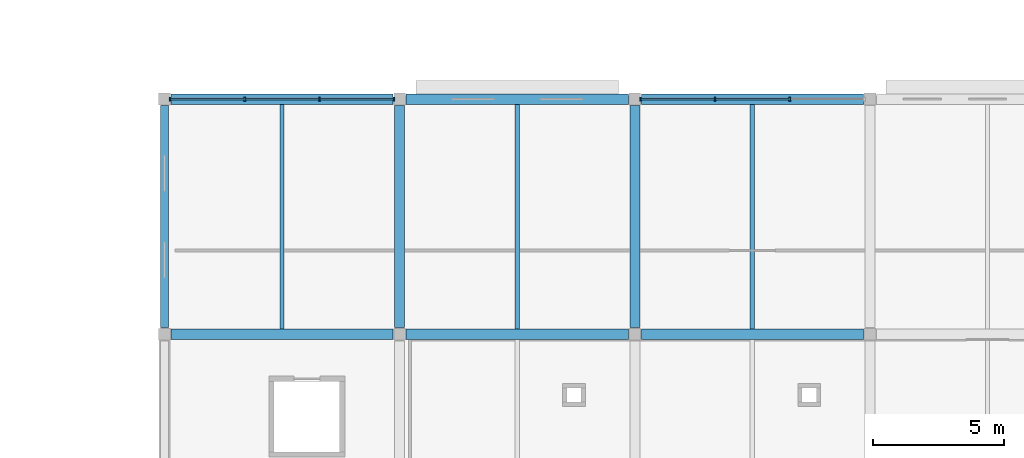
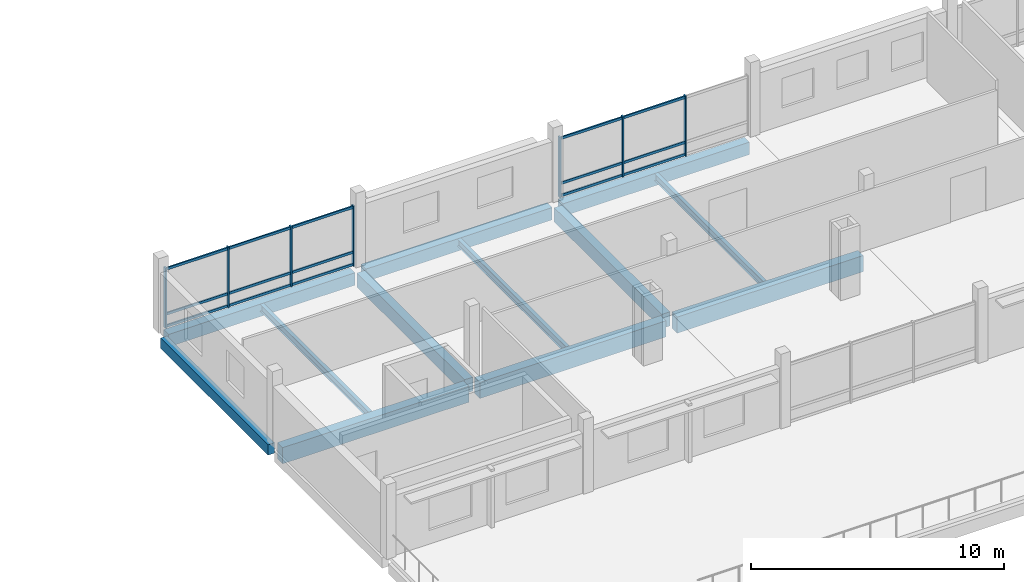
# One storey, part 72 of 163: 22 members, 12 beams, 2 elements without a shape of their own.
"""IFC4 building model written with IfcOpenShell, lengths in metres."""

import ifcopenshell
import ifcopenshell.guid

model = None  # the IFC model being written
_history = None  # IfcOwnerHistory: only IFC2X3 demands one
_inside = {}  # id of a spatial element -> (the spatial element, [elements in it])
_under = {}  # id of a project, library or spatial element -> (it, [spatial elements below it])
_declared = {}  # id of a project -> (the project, [libraries it declares])
_typed = {}  # id of a type object -> (the type object, [elements of that type])
_made_of = {}  # id of a material, layer set ... -> (it, [elements and type objects made of it])


def new_model(schema):
    """Start an empty IFC model of exactly this schema.

    Asked for "IFC4X3", IfcOpenShell would pick the latest addendum, in which some entities
    have other attributes; the version numbers below select the first issue.
    IFC2X3 requires an IfcOwnerHistory on every rooted entity: one is made here for all.
    """
    global model, _history
    if schema == "IFC4X3":
        model = ifcopenshell.file(schema_version=(4, 3, 0, 0))
    else:
        model = ifcopenshell.file(schema=schema)
    _inside.clear()
    _under.clear()
    _declared.clear()
    _typed.clear()
    _made_of.clear()
    _history = None
    if model.schema == "IFC2X3":
        org = make("IfcOrganization", Name="unknown")
        user = make(
            "IfcPersonAndOrganization",
            ThePerson=make("IfcPerson", FamilyName="unknown"),
            TheOrganization=org,
        )
        app = make(
            "IfcApplication",
            ApplicationDeveloper=org,
            Version="unknown",
            ApplicationFullName="unknown",
            ApplicationIdentifier="unknown",
        )
        _history = make(
            "IfcOwnerHistory",
            OwningUser=user,
            OwningApplication=app,
            ChangeAction="ADDED",
            CreationDate=0,
        )
    return model


def make(cls, **values):
    """One entity of the class cls with the attributes given. An attribute that is None is left unset."""
    return model.create_entity(
        cls, **{name: value for name, value in values.items() if value is not None}
    )


def rooted(cls, **values):
    """An entity with a GlobalId (a new one), such as an element, a storey or a relation."""
    return make(cls, GlobalId=ifcopenshell.guid.new(), OwnerHistory=_history, **values)


def si_unit(unit_type, name, prefix=None):
    """IfcSIUnit, for example si_unit("LENGTHUNIT", "METRE", prefix="MILLI")."""
    return make("IfcSIUnit", UnitType=unit_type, Prefix=prefix, Name=name)


def assignment(units):
    """IfcUnitAssignment: the units of a project."""
    return None if units is None else make("IfcUnitAssignment", Units=units)


def point(xyz):
    """IfcCartesianPoint."""
    return None if xyz is None else make("IfcCartesianPoint", Coordinates=xyz)


def direction(xyz):
    """IfcDirection."""
    return None if xyz is None else make("IfcDirection", DirectionRatios=xyz)


def frame(location, z_axis=None, x_axis=None):
    """IfcAxis2Placement3D, a coordinate frame: its origin and axes. An axis left out is left unset."""
    return make(
        "IfcAxis2Placement3D",
        Location=point(location),
        Axis=direction(z_axis),
        RefDirection=direction(x_axis),
    )


def frame_2d(location, x_axis=None):
    """IfcAxis2Placement2D, a coordinate frame in the plane: its origin and x axis."""
    return make(
        "IfcAxis2Placement2D", Location=point(location), RefDirection=direction(x_axis)
    )


def origin():
    """The frame at (0, 0, 0) with its axes left unset."""
    return frame((0.0, 0.0, 0.0))


def origin_2d():
    """The frame at (0, 0) in the plane with its x axis left unset."""
    return frame_2d((0.0, 0.0))


def place(relative_to, where):
    """IfcLocalPlacement: puts the frame where relative to a parent placement (None: the world)."""
    return make(
        "IfcLocalPlacement", PlacementRelTo=relative_to, RelativePlacement=where
    )


def context(
    kind, dimensions, precision=None, world=None, true_north=None, identifier=None
):
    """IfcGeometricRepresentationContext, for example the 3D "Model" context."""
    return make(
        "IfcGeometricRepresentationContext",
        ContextIdentifier=identifier,
        ContextType=kind,
        CoordinateSpaceDimension=dimensions,
        Precision=precision,
        WorldCoordinateSystem=world,
        TrueNorth=true_north,
    )


def subcontext(parent, identifier, kind, view, scale=None):
    """IfcGeometricRepresentationSubContext, for example "Body" below "Model"."""
    return make(
        "IfcGeometricRepresentationSubContext",
        ContextIdentifier=identifier,
        ContextType=kind,
        ParentContext=parent,
        TargetScale=scale,
        TargetView=view,
    )


def project(units=None, contexts=None):
    """IfcProject with its units and contexts."""
    return rooted(
        "IfcProject",
        Name="project",
        RepresentationContexts=contexts,
        UnitsInContext=assignment(units),
    )


def spatial(cls, under=None, at=None, **own):
    """A site, building, storey or space (cls), placed at a placement, below another one or the project."""
    s = rooted(cls, ObjectPlacement=at, **own)
    if under is not None:
        _under.setdefault(under.id(), (under, []))[1].append(s)
    return s


def profile(cls, at=None, kind="AREA", **sizes):
    """A parametric profile (cls). Its sizes go by their IFC names, for example OverallWidth=200.0."""
    return make(cls, ProfileType=kind, Position=at, **sizes)


def rectangle(**sizes):
    """IfcRectangleProfileDef."""
    return profile("IfcRectangleProfileDef", **sizes)


def i_section(**sizes):
    """IfcIShapeProfileDef."""
    return profile("IfcIShapeProfileDef", **sizes)


def extrude(swept, where, along, depth):
    """IfcExtrudedAreaSolid: the profile swept, set in the frame where, extruded along a direction by depth."""
    return make(
        "IfcExtrudedAreaSolid",
        SweptArea=swept,
        Position=where,
        ExtrudedDirection=direction(along),
        Depth=depth,
    )


def shape(context_of_items, identifier, shape_type, items):
    """IfcShapeRepresentation: the items that make up one representation, for example the "Body"."""
    return make(
        "IfcShapeRepresentation",
        ContextOfItems=context_of_items,
        RepresentationIdentifier=identifier,
        RepresentationType=shape_type,
        Items=items,
    )


def material(Name=None, Category=None):
    """IfcMaterial."""
    return make("IfcMaterial", Name=Name, Category=Category)


def material_profile(
    of_material, cross_section, Name=None, Category=None, Priority=None
):
    """IfcMaterialProfile: a cross section and its material."""
    return make(
        "IfcMaterialProfile",
        Name=Name,
        Material=of_material,
        Profile=cross_section,
        Priority=Priority,
        Category=Category,
    )


def profile_set(profiles, Name=None, composite=None):
    """IfcMaterialProfileSet."""
    return make(
        "IfcMaterialProfileSet",
        Name=Name,
        MaterialProfiles=profiles,
        CompositeProfile=composite,
    )


def made_of(thing, what):
    """Note that an element or type object is made of a material, layer set ...; save() writes the relation."""
    if what is not None:
        _made_of.setdefault(what.id(), (what, []))[1].append(thing)
    return thing


def type_object(cls, material=None, **own):
    """A type object (cls), such as IfcWallType, which elements share."""
    return made_of(rooted(cls, **own), material)


def element(
    cls,
    number,
    at=None,
    inside=None,
    cuts=None,
    type_object=None,
    material=None,
    context=None,
    identifier="Body",
    shape_type=None,
    held_by="IfcProductDefinitionShape",
    body=None,
    shapes=None,
    **own,
):
    """One element of the class cls, such as IfcWall. Its Tag is "e" and its number.

    at: its placement. inside: the storey or other place that contains it. cuts: it is an
    opening in that element (IfcRelVoidsElement). A single representation is given by context,
    identifier, shape_type and body (its items); several are given by shapes. held_by: the class
    of the entity that holds the representations. save() writes the other relations.
    """
    e = rooted(cls, Tag="e%d" % number, ObjectPlacement=at, **own)
    if body is not None:
        shapes = [shape(context, identifier, shape_type, body)]
    if shapes is not None:
        e.Representation = make(held_by, Representations=shapes)
    if inside is not None:
        _inside.setdefault(inside.id(), (inside, []))[1].append(e)
    if cuts is not None:
        rooted(
            "IfcRelVoidsElement", RelatingBuildingElement=cuts, RelatedOpeningElement=e
        )
    if type_object is not None:
        _typed.setdefault(type_object.id(), (type_object, []))[1].append(e)
    return made_of(e, material)


def aggregate(whole, parts):
    """IfcRelAggregates: a whole, such as a stair, and the parts it consists of."""
    return rooted("IfcRelAggregates", RelatingObject=whole, RelatedObjects=parts)


def save(model, path):
    """Write the relations noted so far, then the file.

    IfcRelAggregates (storeys below a building ...), IfcRelContainedInSpatialStructure (elements
    in a storey), IfcRelDefinesByType, IfcRelAssociatesMaterial and IfcRelDeclares: one each for
    every whole, place, type object, material and project.
    """
    for whole, parts in _under.values():
        aggregate(whole, parts)
    for where, things in _inside.values():
        rooted(
            "IfcRelContainedInSpatialStructure",
            RelatedElements=things,
            RelatingStructure=where,
        )
    for kind, things in _typed.values():
        rooted("IfcRelDefinesByType", RelatedObjects=things, RelatingType=kind)
    for what, things in _made_of.values():
        rooted("IfcRelAssociatesMaterial", RelatedObjects=things, RelatingMaterial=what)
    for by, libraries in _declared.values():
        rooted("IfcRelDeclares", RelatingContext=by, RelatedDefinitions=libraries)
    model.write(path)


model = new_model("IFC4")

# Units and contexts
model_context = context("Model", 3, precision=1e-05, world=origin(), true_north=direction((0.0, 1.0)))
body_context = subcontext(model_context, "Body", "Model", "MODEL_VIEW")
ifc_project = project(units=[si_unit("LENGTHUNIT", "METRE"), si_unit("AREAUNIT", "SQUARE_METRE"), si_unit("VOLUMEUNIT", "CUBIC_METRE"), si_unit("PLANEANGLEUNIT", "RADIAN"), si_unit("MASSUNIT", "GRAM", prefix="KILO")], contexts=[model_context])

# Site, building, storey
site_placement = place(None, origin())
site = spatial("IfcSite", under=ifc_project, at=site_placement, CompositionType="ELEMENT")
building_placement = place(site_placement, origin())
building = spatial("IfcBuilding", under=site, at=building_placement, Name="Tharagai Park Tramway Depot", CompositionType="ELEMENT")
storey_placement = place(building_placement, frame((0.0, 0.0, 8.39990234375)))
storey = spatial("IfcBuildingStorey", under=building, at=storey_placement, Name="L02", CompositionType="ELEMENT", Elevation=8.39990234375)

# Beams
ifc_material_1 = material(Name="Concrete M35", Category="concrete")
ifc_material_profile_1 = material_profile(ifc_material_1, rectangle(XDim=0.3798828125, YDim=0.679931640625, at=origin_2d()), Name="RC 380x680")
ifc_profile_set_1 = profile_set([ifc_material_profile_1], Name="Concrete M35")
beam_type_1 = type_object("IfcBeamType", Name="BM-12", PredefinedType="BEAM", material=ifc_profile_set_1)
for number, where, z_axis, x_axis, name in (
    (1, (144.0, 18.25, -0.56982421875), (0.0, 1.0, 0.0), (-1.0, 0.0, 0.0), "L02 Grid Beam BM-12"),
    (2, (153.0, 18.25, -0.56982421875), (0.0, 1.0, 0.0), (-1.0, 0.0, 0.0), "L02 Grid Beam BM-12"),
):
    element("IfcBeam", number, at=place(storey_placement, frame(where, z_axis=z_axis, x_axis=x_axis)), inside=storey, type_object=beam_type_1, Name=name, PredefinedType="BEAM", context=body_context, shape_type="SweptSolid", body=[
        extrude(rectangle(XDim=0.3798828125, YDim=0.679931640625, at=origin_2d()), origin(), (0.0, 0.0, 1.0), 8.5),
    ])
ifc_material_profile_2 = material_profile(ifc_material_1, rectangle(XDim=0.419921875, YDim=0.780029296875, at=origin_2d()), Name="RC 420x780")
ifc_profile_set_2 = profile_set([ifc_material_profile_2], Name="Concrete M35")
beam_type_2 = type_object("IfcBeamType", Name="BM-16", PredefinedType="BEAM", material=ifc_profile_set_2)
for number, where, z_axis, x_axis, name in (
    (3, (135.25, 18.0, -0.619873046875), (1.0, 0.0, 0.0), (0.0, 1.0, 0.0), "L02 Grid Beam BM-16"),
    (4, (144.25, 18.0, -0.619873046875), (1.0, 0.0, 0.0), (0.0, 1.0, 0.0), "L02 Grid Beam BM-16"),
    (5, (153.25, 18.0, -0.619873046875), (1.0, 0.0, 0.0), (0.0, 1.0, 0.0), "L02 Grid Beam BM-16"),
):
    element("IfcBeam", number, at=place(storey_placement, frame(where, z_axis=z_axis, x_axis=x_axis)), inside=storey, type_object=beam_type_2, Name=name, PredefinedType="BEAM", context=body_context, shape_type="SweptSolid", body=[
        extrude(rectangle(XDim=0.419921875, YDim=0.780029296875, at=origin_2d()), origin(), (0.0, 0.0, 1.0), 8.5),
    ])

# Curtain wall, members
ifc_material_2 = material(Name="Anodised aluminium", Category="aluminium")
curtain_wall_type = type_object("IfcCurtainWallType", Name="CW-02", PredefinedType="NOTDEFINED", material=ifc_material_2)
curtain_wall_1_placement = place(storey_placement, origin())
curtain_wall_1 = element("IfcCurtainWall", 6, at=curtain_wall_1_placement, inside=storey, type_object=curtain_wall_type, Name="L02 V5 Gothic Mullioned Curtain Wall CW-02", PredefinedType="NOTDEFINED")
ifc_material_profile_3 = material_profile(ifc_material_2, rectangle(XDim=0.06494140625, YDim=0.1201171875, at=origin_2d()), Name="ALU 65x120")
ifc_profile_set_3 = profile_set([ifc_material_profile_3], Name="Anodised aluminium")
member_type_1 = type_object("IfcMemberType", Name="CM-01", PredefinedType="USERDEFINED", material=ifc_profile_set_3)
member_1_placement = place(storey_placement, frame((135.22998046875, 27.0, 0.06005859375), z_axis=(1.0, 0.0, 0.0), x_axis=(0.0, 1.0, 0.0)))
member_1 = element("IfcMember", 7, at=member_1_placement, type_object=member_type_1, Name="L02 V5 Gothic Mullioned Curtain Wall Transom 1.1", ObjectType="TRANSOM", PredefinedType="USERDEFINED", context=body_context, shape_type="SweptSolid", body=[
    extrude(rectangle(XDim=0.06494140625, YDim=0.1201171875, at=origin_2d()), origin(), (0.0, 0.0, 1.0), 2.82666015625),
])
member_2_placement = place(storey_placement, frame((135.22998046875, 27.0, 0.650146484375), z_axis=(1.0, 0.0, 0.0), x_axis=(0.0, 1.0, 0.0)))
member_2 = element("IfcMember", 8, at=member_2_placement, type_object=member_type_1, Name="L02 V5 Gothic Mullioned Curtain Wall Transom 1.2", ObjectType="TRANSOM", PredefinedType="USERDEFINED", context=body_context, shape_type="SweptSolid", body=[
    extrude(rectangle(XDim=0.06494140625, YDim=0.1201171875, at=origin_2d()), origin(), (0.0, 0.0, 1.0), 2.82666015625),
])
member_3_placement = place(storey_placement, frame((135.22998046875, 27.0, 2.820068359375), z_axis=(1.0, 0.0, 0.0), x_axis=(0.0, 1.0, 0.0)))
member_3 = element("IfcMember", 9, at=member_3_placement, type_object=member_type_1, Name="L02 V5 Gothic Mullioned Curtain Wall Transom 1.3", ObjectType="TRANSOM", PredefinedType="USERDEFINED", context=body_context, shape_type="SweptSolid", body=[
    extrude(rectangle(XDim=0.06494140625, YDim=0.1201171875, at=origin_2d()), origin(), (0.0, 0.0, 1.0), 2.82666015625),
])
member_4_placement = place(storey_placement, frame((138.086669921875, 27.0, 0.06005859375), z_axis=(1.0, 0.0, 0.0), x_axis=(0.0, 1.0, 0.0)))
member_4 = element("IfcMember", 10, at=member_4_placement, type_object=member_type_1, Name="L02 V5 Gothic Mullioned Curtain Wall Transom 2.1", ObjectType="TRANSOM", PredefinedType="USERDEFINED", context=body_context, shape_type="SweptSolid", body=[
    extrude(rectangle(XDim=0.06494140625, YDim=0.1201171875, at=origin_2d()), origin(), (0.0, 0.0, 1.0), 2.82666015625),
])
member_5_placement = place(storey_placement, frame((138.086669921875, 27.0, 0.650146484375), z_axis=(1.0, 0.0, 0.0), x_axis=(0.0, 1.0, 0.0)))
member_5 = element("IfcMember", 11, at=member_5_placement, type_object=member_type_1, Name="L02 V5 Gothic Mullioned Curtain Wall Transom 2.2", ObjectType="TRANSOM", PredefinedType="USERDEFINED", context=body_context, shape_type="SweptSolid", body=[
    extrude(rectangle(XDim=0.06494140625, YDim=0.1201171875, at=origin_2d()), origin(), (0.0, 0.0, 1.0), 2.82666015625),
])
member_6_placement = place(storey_placement, frame((138.086669921875, 27.0, 2.820068359375), z_axis=(1.0, 0.0, 0.0), x_axis=(0.0, 1.0, 0.0)))
member_6 = element("IfcMember", 12, at=member_6_placement, type_object=member_type_1, Name="L02 V5 Gothic Mullioned Curtain Wall Transom 2.3", ObjectType="TRANSOM", PredefinedType="USERDEFINED", context=body_context, shape_type="SweptSolid", body=[
    extrude(rectangle(XDim=0.06494140625, YDim=0.1201171875, at=origin_2d()), origin(), (0.0, 0.0, 1.0), 2.82666015625),
])
member_7_placement = place(storey_placement, frame((140.943359375, 27.0, 0.06005859375), z_axis=(1.0, 0.0, 0.0), x_axis=(0.0, 1.0, 0.0)))
member_7 = element("IfcMember", 13, at=member_7_placement, type_object=member_type_1, Name="L02 V5 Gothic Mullioned Curtain Wall Transom 3.1", ObjectType="TRANSOM", PredefinedType="USERDEFINED", context=body_context, shape_type="SweptSolid", body=[
    extrude(rectangle(XDim=0.06494140625, YDim=0.1201171875, at=origin_2d()), origin(), (0.0, 0.0, 1.0), 2.82666015625),
])
member_8_placement = place(storey_placement, frame((140.943359375, 27.0, 0.650146484375), z_axis=(1.0, 0.0, 0.0), x_axis=(0.0, 1.0, 0.0)))
member_8 = element("IfcMember", 14, at=member_8_placement, type_object=member_type_1, Name="L02 V5 Gothic Mullioned Curtain Wall Transom 3.2", ObjectType="TRANSOM", PredefinedType="USERDEFINED", context=body_context, shape_type="SweptSolid", body=[
    extrude(rectangle(XDim=0.06494140625, YDim=0.1201171875, at=origin_2d()), origin(), (0.0, 0.0, 1.0), 2.82666015625),
])
member_9_placement = place(storey_placement, frame((140.943359375, 27.0, 2.820068359375), z_axis=(1.0, 0.0, 0.0), x_axis=(0.0, 1.0, 0.0)))
member_9 = element("IfcMember", 15, at=member_9_placement, type_object=member_type_1, Name="L02 V5 Gothic Mullioned Curtain Wall Transom 3.3", ObjectType="TRANSOM", PredefinedType="USERDEFINED", context=body_context, shape_type="SweptSolid", body=[
    extrude(rectangle(XDim=0.06494140625, YDim=0.1201171875, at=origin_2d()), origin(), (0.0, 0.0, 1.0), 2.82666015625),
])

curtain_wall_2_placement = place(storey_placement, origin())
curtain_wall_2 = element("IfcCurtainWall", 16, at=curtain_wall_2_placement, inside=storey, type_object=curtain_wall_type, Name="L02 V5 Gothic Mullioned Curtain Wall CW-02", PredefinedType="NOTDEFINED")
member_10_placement = place(storey_placement, frame((153.22998046875, 27.0, 0.06005859375), z_axis=(1.0, 0.0, 0.0), x_axis=(0.0, 1.0, 0.0)))
member_10 = element("IfcMember", 17, at=member_10_placement, type_object=member_type_1, Name="L02 V5 Gothic Mullioned Curtain Wall Transom 1.1", ObjectType="TRANSOM", PredefinedType="USERDEFINED", context=body_context, shape_type="SweptSolid", body=[
    extrude(rectangle(XDim=0.06494140625, YDim=0.1201171875, at=origin_2d()), origin(), (0.0, 0.0, 1.0), 2.82666015625),
])
member_11_placement = place(storey_placement, frame((153.22998046875, 27.0, 0.650146484375), z_axis=(1.0, 0.0, 0.0), x_axis=(0.0, 1.0, 0.0)))
member_11 = element("IfcMember", 18, at=member_11_placement, type_object=member_type_1, Name="L02 V5 Gothic Mullioned Curtain Wall Transom 1.2", ObjectType="TRANSOM", PredefinedType="USERDEFINED", context=body_context, shape_type="SweptSolid", body=[
    extrude(rectangle(XDim=0.06494140625, YDim=0.1201171875, at=origin_2d()), origin(), (0.0, 0.0, 1.0), 2.82666015625),
])
member_12_placement = place(storey_placement, frame((153.22998046875, 27.0, 2.820068359375), z_axis=(1.0, 0.0, 0.0), x_axis=(0.0, 1.0, 0.0)))
member_12 = element("IfcMember", 19, at=member_12_placement, type_object=member_type_1, Name="L02 V5 Gothic Mullioned Curtain Wall Transom 1.3", ObjectType="TRANSOM", PredefinedType="USERDEFINED", context=body_context, shape_type="SweptSolid", body=[
    extrude(rectangle(XDim=0.06494140625, YDim=0.1201171875, at=origin_2d()), origin(), (0.0, 0.0, 1.0), 2.82666015625),
])
member_13_placement = place(storey_placement, frame((156.086669921875, 27.0, 0.06005859375), z_axis=(1.0, 0.0, 0.0), x_axis=(0.0, 1.0, 0.0)))
member_13 = element("IfcMember", 20, at=member_13_placement, type_object=member_type_1, Name="L02 V5 Gothic Mullioned Curtain Wall Transom 2.1", ObjectType="TRANSOM", PredefinedType="USERDEFINED", context=body_context, shape_type="SweptSolid", body=[
    extrude(rectangle(XDim=0.06494140625, YDim=0.1201171875, at=origin_2d()), origin(), (0.0, 0.0, 1.0), 2.82666015625),
])
member_14_placement = place(storey_placement, frame((156.086669921875, 27.0, 0.650146484375), z_axis=(1.0, 0.0, 0.0), x_axis=(0.0, 1.0, 0.0)))
member_14 = element("IfcMember", 21, at=member_14_placement, type_object=member_type_1, Name="L02 V5 Gothic Mullioned Curtain Wall Transom 2.2", ObjectType="TRANSOM", PredefinedType="USERDEFINED", context=body_context, shape_type="SweptSolid", body=[
    extrude(rectangle(XDim=0.06494140625, YDim=0.1201171875, at=origin_2d()), origin(), (0.0, 0.0, 1.0), 2.82666015625),
])
member_15_placement = place(storey_placement, frame((156.086669921875, 27.0, 2.820068359375), z_axis=(1.0, 0.0, 0.0), x_axis=(0.0, 1.0, 0.0)))
member_15 = element("IfcMember", 22, at=member_15_placement, type_object=member_type_1, Name="L02 V5 Gothic Mullioned Curtain Wall Transom 2.3", ObjectType="TRANSOM", PredefinedType="USERDEFINED", context=body_context, shape_type="SweptSolid", body=[
    extrude(rectangle(XDim=0.06494140625, YDim=0.1201171875, at=origin_2d()), origin(), (0.0, 0.0, 1.0), 2.82666015625),
])

# Member
ifc_material_profile_4 = material_profile(ifc_material_2, rectangle(XDim=0.06494140625, YDim=0.14990234375, at=origin_2d()), Name="ALU 65x150")
ifc_profile_set_4 = profile_set([ifc_material_profile_4], Name="Anodised aluminium")
member_type_2 = type_object("IfcMemberType", Name="CM-03", PredefinedType="MULLION", material=ifc_profile_set_4)
member_16_placement = place(storey_placement, frame((135.215087890625, 27.0, -0.0048828125), z_axis=(0.0, 0.0, 1.0), x_axis=(1.0, 0.0, 0.0)))
member_16 = element("IfcMember", 23, at=member_16_placement, type_object=member_type_2, Name="L02 V5 Gothic Mullioned Curtain Wall Mullion 1", PredefinedType="MULLION", context=body_context, shape_type="SweptSolid", body=[
    extrude(rectangle(XDim=0.06494140625, YDim=0.14990234375, at=origin_2d()), origin(), (0.0, 0.0, 1.0), 2.909912109375),
])

member_17_placement = place(storey_placement, frame((138.07177734375, 27.0, -0.0048828125), z_axis=(0.0, 0.0, 1.0), x_axis=(1.0, 0.0, 0.0)))
member_17 = element("IfcMember", 24, at=member_17_placement, type_object=member_type_2, Name="L02 V5 Gothic Mullioned Curtain Wall Mullion 2", PredefinedType="MULLION", context=body_context, shape_type="SweptSolid", body=[
    extrude(rectangle(XDim=0.06494140625, YDim=0.14990234375, at=origin_2d()), origin(), (0.0, 0.0, 1.0), 2.909912109375),
])

member_18_placement = place(storey_placement, frame((140.92822265625, 27.0, -0.0048828125), z_axis=(0.0, 0.0, 1.0), x_axis=(1.0, 0.0, 0.0)))
member_18 = element("IfcMember", 25, at=member_18_placement, type_object=member_type_2, Name="L02 V5 Gothic Mullioned Curtain Wall Mullion 3", PredefinedType="MULLION", context=body_context, shape_type="SweptSolid", body=[
    extrude(rectangle(XDim=0.06494140625, YDim=0.14990234375, at=origin_2d()), origin(), (0.0, 0.0, 1.0), 2.909912109375),
])

member_19_placement = place(storey_placement, frame((143.784912109375, 27.0, -0.0048828125), z_axis=(0.0, 0.0, 1.0), x_axis=(1.0, 0.0, 0.0)))
member_19 = element("IfcMember", 26, at=member_19_placement, type_object=member_type_2, Name="L02 V5 Gothic Mullioned Curtain Wall Mullion 4", PredefinedType="MULLION", context=body_context, shape_type="SweptSolid", body=[
    extrude(rectangle(XDim=0.06494140625, YDim=0.14990234375, at=origin_2d()), origin(), (0.0, 0.0, 1.0), 2.909912109375),
])

aggregate(curtain_wall_1, [member_16, member_17, member_18, member_19, member_1, member_2, member_3, member_4, member_5, member_6, member_7, member_8, member_9])

member_20_placement = place(storey_placement, frame((153.215087890625, 27.0, -0.0048828125), z_axis=(0.0, 0.0, 1.0), x_axis=(1.0, 0.0, 0.0)))
member_20 = element("IfcMember", 27, at=member_20_placement, type_object=member_type_2, Name="L02 V5 Gothic Mullioned Curtain Wall Mullion 1", PredefinedType="MULLION", context=body_context, shape_type="SweptSolid", body=[
    extrude(rectangle(XDim=0.06494140625, YDim=0.14990234375, at=origin_2d()), origin(), (0.0, 0.0, 1.0), 2.909912109375),
])

member_21_placement = place(storey_placement, frame((156.07177734375, 27.0, -0.0048828125), z_axis=(0.0, 0.0, 1.0), x_axis=(1.0, 0.0, 0.0)))
member_21 = element("IfcMember", 28, at=member_21_placement, type_object=member_type_2, Name="L02 V5 Gothic Mullioned Curtain Wall Mullion 2", PredefinedType="MULLION", context=body_context, shape_type="SweptSolid", body=[
    extrude(rectangle(XDim=0.06494140625, YDim=0.14990234375, at=origin_2d()), origin(), (0.0, 0.0, 1.0), 2.909912109375),
])

member_22_placement = place(storey_placement, frame((158.92822265625, 27.0, -0.0048828125), z_axis=(0.0, 0.0, 1.0), x_axis=(1.0, 0.0, 0.0)))
member_22 = element("IfcMember", 29, at=member_22_placement, type_object=member_type_2, Name="L02 V5 Gothic Mullioned Curtain Wall Mullion 3", PredefinedType="MULLION", context=body_context, shape_type="SweptSolid", body=[
    extrude(rectangle(XDim=0.06494140625, YDim=0.14990234375, at=origin_2d()), origin(), (0.0, 0.0, 1.0), 2.909912109375),
])

aggregate(curtain_wall_2, [member_20, member_21, member_22, member_10, member_11, member_12, member_13, member_14, member_15])

# Beams
ifc_material_3 = material(Name="Steel E350", Category="steel")
ifc_material_profile_5 = material_profile(ifc_material_3, i_section(OverallWidth=0.1650390625, OverallDepth=0.35009765625, WebThickness=0.00732421875, FlangeThickness=0.011474609375, FilletRadius=0.013916015625, at=origin_2d()), Name="ISLB 350")
ifc_profile_set_5 = profile_set([ifc_material_profile_5], Name="Steel E350")
beam_type_3 = type_object("IfcBeamType", Name="JT-05", PredefinedType="JOIST", material=ifc_profile_set_5)
for number, where, z_axis, x_axis, name in (
    (30, (139.5, 18.2099609375, -0.40478515625), (0.0, 1.0, 0.0), (-1.0, 0.0, 0.0), "L02 Secondary Joist JT-05"),
    (31, (148.5, 18.2099609375, -0.40478515625), (0.0, 1.0, 0.0), (-1.0, 0.0, 0.0), "L02 Secondary Joist JT-05"),
    (32, (157.5, 18.2099609375, -0.40478515625), (0.0, 1.0, 0.0), (-1.0, 0.0, 0.0), "L02 Secondary Joist JT-05"),
):
    element("IfcBeam", number, at=place(storey_placement, frame(where, z_axis=z_axis, x_axis=x_axis)), inside=storey, type_object=beam_type_3, Name=name, PredefinedType="JOIST", context=body_context, shape_type="SweptSolid", body=[
        extrude(i_section(OverallWidth=0.1650390625, OverallDepth=0.35009765625, WebThickness=0.00732421875, FlangeThickness=0.011474609375, FilletRadius=0.013916015625, at=origin_2d()), origin(), (0.0, 0.0, 1.0), 8.590087890625),
    ])
ifc_material_profile_6 = material_profile(ifc_material_1, rectangle(XDim=0.39990234375, YDim=0.60009765625, at=origin_2d()), Name="RC 400x600")
ifc_profile_set_6 = profile_set([ifc_material_profile_6], Name="Concrete M35")
beam_type_4 = type_object("IfcBeamType", Name="SP-02", PredefinedType="SPANDREL", material=ifc_profile_set_6)
for number, where, z_axis, x_axis, name in (
    (33, (135.25, 27.0, -0.52978515625), (1.0, 0.0, 0.0), (0.0, 1.0, 0.0), "L02 Grid Beam SP-02"),
    (34, (144.25, 27.0, -0.52978515625), (1.0, 0.0, 0.0), (0.0, 1.0, 0.0), "L02 Grid Beam SP-02"),
    (35, (153.25, 27.0, -0.52978515625), (1.0, 0.0, 0.0), (0.0, 1.0, 0.0), "L02 Grid Beam SP-02"),
):
    element("IfcBeam", number, at=place(storey_placement, frame(where, z_axis=z_axis, x_axis=x_axis)), inside=storey, type_object=beam_type_4, Name=name, PredefinedType="SPANDREL", context=body_context, shape_type="SweptSolid", body=[
        extrude(rectangle(XDim=0.39990234375, YDim=0.60009765625, at=origin_2d()), origin(), (0.0, 0.0, 1.0), 8.5),
    ])
ifc_material_profile_7 = material_profile(ifc_material_1, rectangle(XDim=0.300048828125, YDim=0.5, at=origin_2d()), Name="RC 300x500")
ifc_profile_set_7 = profile_set([ifc_material_profile_7], Name="Concrete M35")
beam_type_5 = type_object("IfcBeamType", Name="SP-03", PredefinedType="SPANDREL", material=ifc_profile_set_7)
beam_placement = place(storey_placement, frame((135.0, 18.25, -0.47998046875), z_axis=(0.0, 1.0, 0.0), x_axis=(-1.0, 0.0, 0.0)))
element("IfcBeam", 36, at=beam_placement, inside=storey, type_object=beam_type_5, Name="L02 Grid Beam SP-03", PredefinedType="SPANDREL", context=body_context, shape_type="SweptSolid", body=[
    extrude(rectangle(XDim=0.300048828125, YDim=0.5, at=origin_2d()), origin(), (0.0, 0.0, 1.0), 8.5),
])

save(model, "model.ifc")
